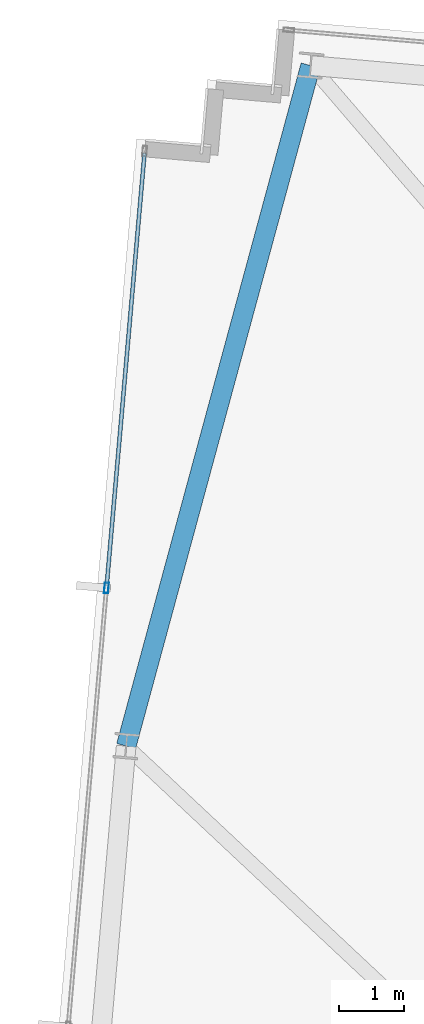
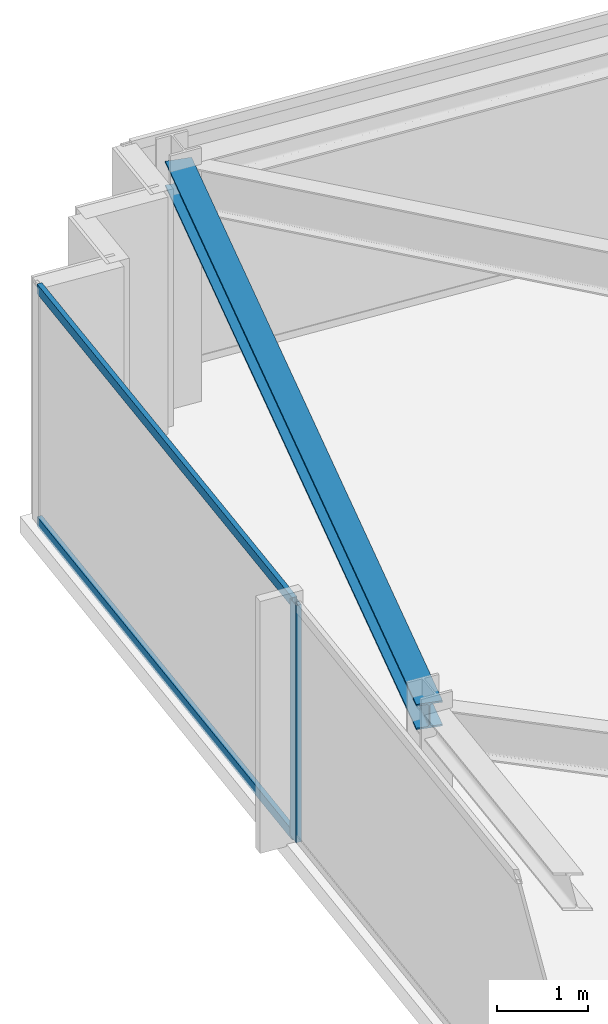
# One storey, part 11 of 32: 3 members, 1 beam, 1 element without a shape of its own.
"""IFC4 building model written with IfcOpenShell, lengths in metres."""

from ifc_helpers import new_model, si_unit, direction, frame, origin, origin_2d, place, context, subcontext, project, spatial, hollow_rectangle, i_section, extrude, material, material_profile, profile_set, type_object, element, aggregate, save


model = new_model("IFC4")

# Units and contexts
model_context = context("Model", 3, precision=1e-05, world=origin(), true_north=direction((0.0, 1.0)))
body_context = subcontext(model_context, "Body", "Model", "MODEL_VIEW")
ifc_project = project(units=[si_unit("LENGTHUNIT", "METRE"), si_unit("AREAUNIT", "SQUARE_METRE"), si_unit("VOLUMEUNIT", "CUBIC_METRE"), si_unit("PLANEANGLEUNIT", "RADIAN"), si_unit("MASSUNIT", "GRAM", prefix="KILO")], contexts=[model_context])

# Site, building, storey
site_placement = place(None, origin())
site = spatial("IfcSite", under=ifc_project, at=site_placement, CompositionType="ELEMENT")
building_placement = place(site_placement, origin())
building = spatial("IfcBuilding", under=site, at=building_placement, Name="Yelkora Congress Tower", CompositionType="ELEMENT")
storey_placement = place(building_placement, frame((0.0, 0.0, 269.300048828125)))
storey = spatial("IfcBuildingStorey", under=building, at=storey_placement, Name="L75", CompositionType="ELEMENT", Elevation=269.300048828125)

# Beam
ifc_material_1 = material(Name="Steel S355J2", Category="steel")
ifc_material_profile_1 = material_profile(ifc_material_1, i_section(OverallWidth=0.300048828125, OverallDepth=0.340087890625, WebThickness=0.011962890625, FlangeThickness=0.021484375, FilletRadius=0.027099609375, at=origin_2d()), Name="HEB 340")
ifc_profile_set_1 = profile_set([ifc_material_profile_1], Name="Steel S355J2")
beam_type = type_object("IfcBeamType", Name="BM-SPAN-HEB340", PredefinedType="SPANDREL", material=ifc_profile_set_1)
beam_placement = place(storey_placement, frame((10.60400390625, 49.884033203125, 3.010009765625), z_axis=(-0.261553643334, -0.965188940912, 0.0), x_axis=(0.965188940912, -0.261553643334, 0.0)))
element("IfcBeam", 1, at=beam_placement, inside=storey, type_object=beam_type, Name="L75 Perimeter Beam 13", PredefinedType="SPANDREL", context=body_context, shape_type="SweptSolid", body=[
    extrude(i_section(OverallWidth=0.300048828125, OverallDepth=0.340087890625, WebThickness=0.011962890625, FlangeThickness=0.021484375, FilletRadius=0.027099609375, at=origin_2d()), origin(), (0.0, 0.0, 1.0), 10.768798828125),
])

# Curtain wall, members
ifc_material_2 = material(Name="Anodised aluminium and insulated glass", Category="aluminium")
curtain_wall_type = type_object("IfcCurtainWallType", Name="CW-SYS-B5", PredefinedType="NOTDEFINED", material=ifc_material_2)
curtain_wall_placement = place(storey_placement, origin())
curtain_wall = element("IfcCurtainWall", 2, at=curtain_wall_placement, inside=storey, type_object=curtain_wall_type, Name="L75 Unitised Curtain Wall 5", PredefinedType="NOTDEFINED")
ifc_material_3 = material(Name="Anodised aluminium 6063-T6", Category="aluminium")
ifc_material_profile_2 = material_profile(ifc_material_3, hollow_rectangle(XDim=0.06494140625, YDim=0.159912109375, WallThickness=0.00390625, at=origin_2d()), Name="ALU 65x160x4")
ifc_profile_set_2 = profile_set([ifc_material_profile_2], Name="Anodised aluminium 6063-T6")
member_type_1 = type_object("IfcMemberType", Name="MEM-ML-B5", PredefinedType="MULLION", material=ifc_profile_set_2)
member_1_placement = place(storey_placement, frame((7.48681640625, 41.9052734375, 0.0), z_axis=(0.0, 0.0, 1.0), x_axis=(-0.996194785929, 0.08715473876, 0.0)))
member_1 = element("IfcMember", 3, at=member_1_placement, type_object=member_type_1, Name="CW-B5 mullion 4", PredefinedType="MULLION", context=body_context, shape_type="SweptSolid", body=[
    extrude(hollow_rectangle(XDim=0.06494140625, YDim=0.159912109375, WallThickness=0.00390625, at=origin_2d()), origin(), (0.0, 0.0, 1.0), 3.179931640625),
])
ifc_material_profile_3 = material_profile(ifc_material_3, hollow_rectangle(XDim=0.06005859375, YDim=0.1298828125, WallThickness=0.00390625, at=origin_2d()), Name="ALU 60x130x4")
ifc_profile_set_3 = profile_set([ifc_material_profile_3], Name="Anodised aluminium 6063-T6")
member_type_2 = type_object("IfcMemberType", Name="MEM-TR-B5", PredefinedType="USERDEFINED", material=ifc_profile_set_3)
member_2_placement = place(storey_placement, frame((7.489501953125, 41.937744140625, 0.030029296875), z_axis=(0.08716649365, 0.996193757451, 0.0), x_axis=(-0.996193757451, 0.08716649365, 0.0)))
member_2 = element("IfcMember", 4, at=member_2_placement, type_object=member_type_2, Name="CW-B5 transom 4.1", ObjectType="TRANSOM", PredefinedType="USERDEFINED", context=body_context, shape_type="SweptSolid", body=[
    extrude(hollow_rectangle(XDim=0.06005859375, YDim=0.1298828125, WallThickness=0.00390625, at=origin_2d()), origin(), (0.0, 0.0, 1.0), 6.63232421875),
])
member_3_placement = place(storey_placement, frame((7.489501953125, 41.937744140625, 3.14990234375), z_axis=(0.08716649365, 0.996193757451, 0.0), x_axis=(-0.996193757451, 0.08716649365, 0.0)))
member_3 = element("IfcMember", 5, at=member_3_placement, type_object=member_type_2, Name="CW-B5 transom 4.2", ObjectType="TRANSOM", PredefinedType="USERDEFINED", context=body_context, shape_type="SweptSolid", body=[
    extrude(hollow_rectangle(XDim=0.06005859375, YDim=0.1298828125, WallThickness=0.00390625, at=origin_2d()), origin(), (0.0, 0.0, 1.0), 6.63232421875),
])
aggregate(curtain_wall, [member_1, member_2, member_3])

save(model, "model.ifc")
